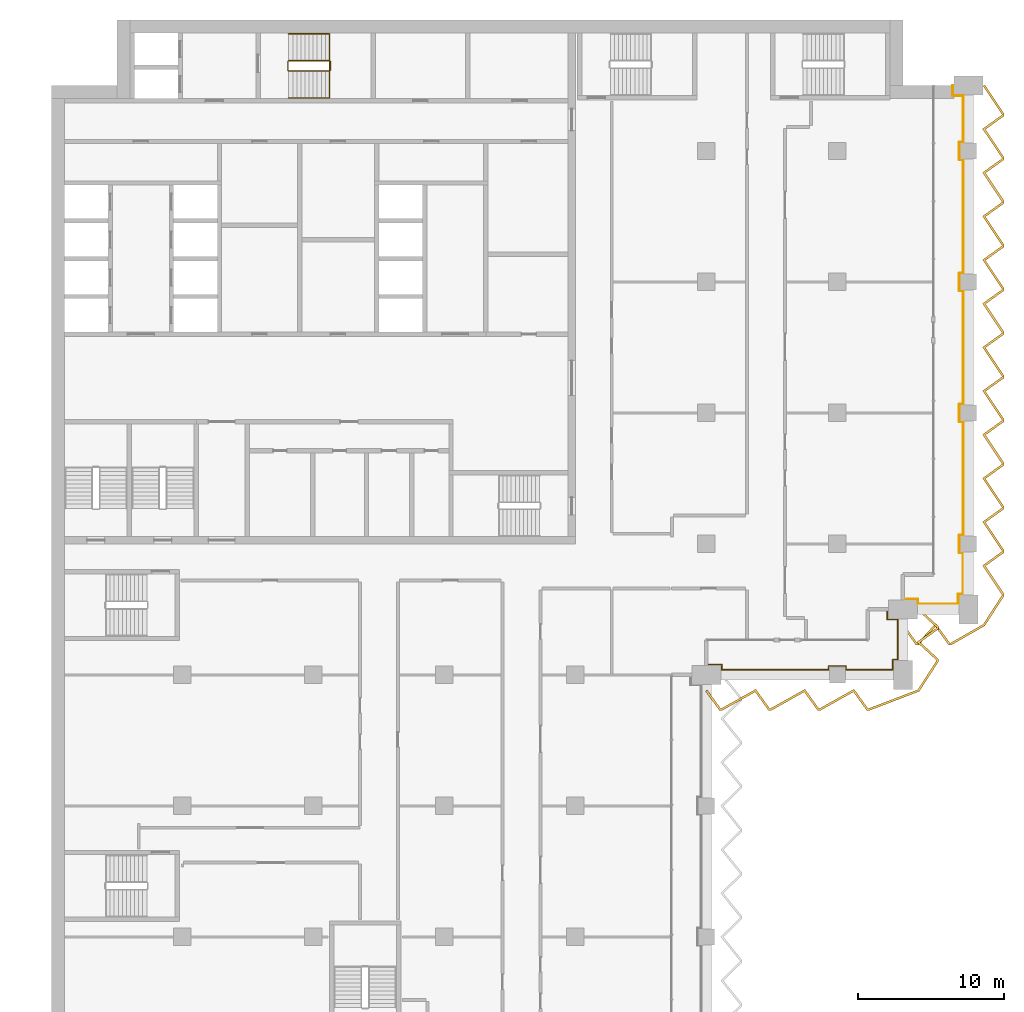
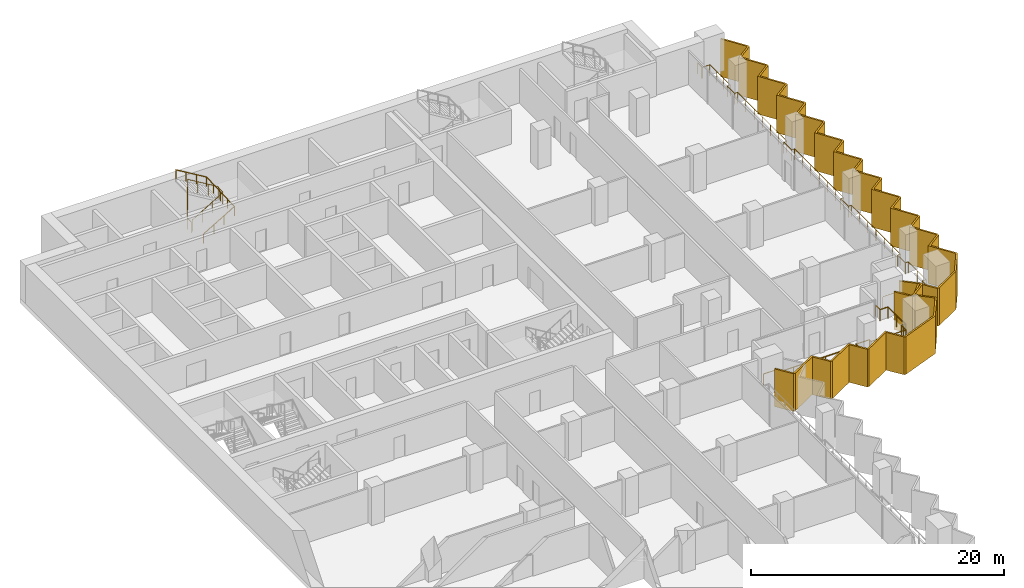
# One storey, part 22 of 23: 4 railings, 2 shading devices.
"""IFC4 building model written with IfcOpenShell, lengths in metres."""

from ifc_helpers import new_model, si_unit, direction, frame, origin, origin_2d, place, context, subcontext, project, spatial, polyline, circle, outline, extrude, material, layer, layer_set, type_object, element, save


model = new_model("IFC4")

# Units and contexts
model_context = context("Model", 3, precision=1e-05, world=origin(), true_north=direction((0.0, 1.0)))
body_context = subcontext(model_context, "Body", "Model", "MODEL_VIEW")
ifc_project = project(units=[si_unit("LENGTHUNIT", "METRE"), si_unit("AREAUNIT", "SQUARE_METRE"), si_unit("VOLUMEUNIT", "CUBIC_METRE"), si_unit("PLANEANGLEUNIT", "RADIAN"), si_unit("MASSUNIT", "GRAM", prefix="KILO")], contexts=[model_context])

# Site, building, storey
site_placement = place(None, origin())
site = spatial("IfcSite", under=ifc_project, at=site_placement, CompositionType="ELEMENT")
building_placement = place(site_placement, origin())
building = spatial("IfcBuilding", under=site, at=building_placement, Name="Hunhe Ridgeline Campus", CompositionType="ELEMENT")
storey_placement = place(building_placement, frame((0.0, 0.0, 170.800048828125)))
storey = spatial("IfcBuildingStorey", under=building, at=storey_placement, Name="L43", CompositionType="ELEMENT", Elevation=170.800048828125)

# Railings
ifc_material_1 = material(Name="Steel Q355", Category="steel")
railing_type_1 = type_object("IfcRailingType", Name="Loggia guard 1100 Steel Q355", PredefinedType="GUARDRAIL", material=ifc_material_1)
railing_1_placement = place(storey_placement, frame((45.0, 54.719970703125, 0.0)))
element("IfcRailing", 1, at=railing_1_placement, inside=storey, type_object=railing_type_1, Name="Loggia guard 2", PredefinedType="GUARDRAIL", context=body_context, shape_type="SweptSolid", body=[
    extrude(circle(Radius=0.02392578125, at=origin_2d()), frame((0.0, 0.0, 1.076171875), z_axis=(1.0, 0.0, 0.0), x_axis=(0.0, 1.0, 0.0)), (0.0, 0.0, 1.0), 1.050048828125),
    extrude(circle(Radius=0.02392578125, at=origin_2d()), frame((1.050048828125, 0.0, 1.076171875), z_axis=(0.0, -1.0, 0.0), x_axis=(1.0, 0.0, 0.0)), (0.0, 0.0, 1.0), 0.369873046875),
    extrude(circle(Radius=0.02392578125, at=origin_2d()), frame((1.050048828125, -0.369873046875, 1.076171875), z_axis=(1.0, 0.0, 0.0), x_axis=(0.0, 1.0, 0.0)), (0.0, 0.0, 1.0), 7.349853515625),
    extrude(circle(Radius=0.02392578125, at=origin_2d()), frame((8.39990234375, -0.369873046875, 1.076171875), z_axis=(0.0, 1.0, 0.0), x_axis=(-1.0, 0.0, 0.0)), (0.0, 0.0, 1.0), 0.27001953125),
    extrude(circle(Radius=0.02392578125, at=origin_2d()), frame((8.39990234375, -0.099853515625, 1.076171875), z_axis=(1.0, 0.0, 0.0), x_axis=(0.0, 1.0, 0.0)), (0.0, 0.0, 1.0), 1.2001953125),
    extrude(circle(Radius=0.02392578125, at=origin_2d()), frame((9.60009765625, -0.099853515625, 1.076171875), z_axis=(0.0, -1.0, 0.0), x_axis=(1.0, 0.0, 0.0)), (0.0, 0.0, 1.0), 0.27001953125),
    extrude(circle(Radius=0.02392578125, at=origin_2d()), frame((9.60009765625, -0.369873046875, 1.076171875), z_axis=(1.0, 0.0, 0.0), x_axis=(0.0, 1.0, 0.0)), (0.0, 0.0, 1.0), 3.199951171875),
    extrude(circle(Radius=0.02392578125, at=origin_2d()), frame((12.800048828125, -0.369873046875, 1.076171875), z_axis=(0.0, 1.0, 0.0), x_axis=(-1.0, 0.0, 0.0)), (0.0, 0.0, 1.0), 0.719970703125),
    extrude(circle(Radius=0.02392578125, at=origin_2d()), frame((12.800048828125, 0.35009765625, 1.076171875), z_axis=(-0.057089444596, -0.998369067688, 0.0), x_axis=(0.998369067688, -0.057089444596, 0.0)), (0.0, 0.0, 1.0), 0.3505859375),
    extrude(circle(Radius=0.02392578125, at=origin_2d()), frame((12.780029296875, 0.0, 1.076171875), z_axis=(0.0, 1.0, 0.0), x_axis=(-1.0, 0.0, 0.0)), (0.0, 0.0, 1.0), 0.330078125),
    extrude(circle(Radius=0.02392578125, at=origin_2d()), frame((12.780029296875, 0.330078125, 1.076171875), z_axis=(1.0, 0.0, 0.0), x_axis=(0.0, 1.0, 0.0)), (0.0, 0.0, 1.0), 0.369873046875),
    extrude(circle(Radius=0.02392578125, at=origin_2d()), frame((13.14990234375, 0.330078125, 1.076171875), z_axis=(0.0, 1.0, 0.0), x_axis=(-1.0, 0.0, 0.0)), (0.0, 0.0, 1.0), 2.75),
    extrude(circle(Radius=0.02392578125, at=origin_2d()), frame((13.14990234375, 3.080078125, 1.076171875), z_axis=(-1.0, 0.0, 0.0), x_axis=(0.0, -1.0, 0.0)), (0.0, 0.0, 1.0), 0.719970703125),
    extrude(circle(Radius=0.02392578125, at=origin_2d()), frame((12.429931640625, 3.080078125, 1.076171875), z_axis=(0.0, 1.0, 0.0), x_axis=(-1.0, 0.0, 0.0)), (0.0, 0.0, 1.0), 0.699951171875),
    extrude(circle(Radius=0.02099609375, at=origin_2d()), origin(), (0.0, 0.0, 1.0), 1.052001953125),
    extrude(circle(Radius=0.02099609375, at=origin_2d()), frame((1.050048828125, 0.0, 0.0)), (0.0, 0.0, 1.0), 1.052001953125),
    extrude(circle(Radius=0.02099609375, at=origin_2d()), frame((1.050048828125, -0.369873046875, 0.0)), (0.0, 0.0, 1.0), 1.052001953125),
    extrude(circle(Radius=0.02099609375, at=origin_2d()), frame((2.52001953125, -0.369873046875, 0.0)), (0.0, 0.0, 1.0), 1.052001953125),
    extrude(circle(Radius=0.02099609375, at=origin_2d()), frame((3.989990234375, -0.369873046875, 0.0)), (0.0, 0.0, 1.0), 1.052001953125),
    extrude(circle(Radius=0.02099609375, at=origin_2d()), frame((5.4599609375, -0.369873046875, 0.0)), (0.0, 0.0, 1.0), 1.052001953125),
    extrude(circle(Radius=0.02099609375, at=origin_2d()), frame((6.929931640625, -0.369873046875, 0.0)), (0.0, 0.0, 1.0), 1.052001953125),
    extrude(circle(Radius=0.02099609375, at=origin_2d()), frame((8.39990234375, -0.369873046875, 0.0)), (0.0, 0.0, 1.0), 1.052001953125),
    extrude(circle(Radius=0.02099609375, at=origin_2d()), frame((8.39990234375, -0.099853515625, 0.0)), (0.0, 0.0, 1.0), 1.052001953125),
    extrude(circle(Radius=0.02099609375, at=origin_2d()), frame((9.60009765625, -0.099853515625, 0.0)), (0.0, 0.0, 1.0), 1.052001953125),
    extrude(circle(Radius=0.02099609375, at=origin_2d()), frame((9.60009765625, -0.369873046875, 0.0)), (0.0, 0.0, 1.0), 1.052001953125),
    extrude(circle(Radius=0.02099609375, at=origin_2d()), frame((10.666748046875, -0.369873046875, 0.0)), (0.0, 0.0, 1.0), 1.052001953125),
    extrude(circle(Radius=0.02099609375, at=origin_2d()), frame((11.7333984375, -0.369873046875, 0.0)), (0.0, 0.0, 1.0), 1.052001953125),
    extrude(circle(Radius=0.02099609375, at=origin_2d()), frame((12.800048828125, -0.369873046875, 0.0)), (0.0, 0.0, 1.0), 1.052001953125),
    extrude(circle(Radius=0.02099609375, at=origin_2d()), frame((12.800048828125, 0.35009765625, 0.0)), (0.0, 0.0, 1.0), 1.052001953125),
    extrude(circle(Radius=0.02099609375, at=origin_2d()), frame((12.780029296875, 0.0, 0.0)), (0.0, 0.0, 1.0), 1.052001953125),
    extrude(circle(Radius=0.02099609375, at=origin_2d()), frame((12.780029296875, 0.330078125, 0.0)), (0.0, 0.0, 1.0), 1.052001953125),
    extrude(circle(Radius=0.02099609375, at=origin_2d()), frame((13.14990234375, 0.330078125, 0.0)), (0.0, 0.0, 1.0), 1.052001953125),
    extrude(circle(Radius=0.02099609375, at=origin_2d()), frame((13.14990234375, 1.705078125, 0.0)), (0.0, 0.0, 1.0), 1.052001953125),
    extrude(circle(Radius=0.02099609375, at=origin_2d()), frame((13.14990234375, 3.080078125, 0.0)), (0.0, 0.0, 1.0), 1.052001953125),
    extrude(circle(Radius=0.02099609375, at=origin_2d()), frame((12.429931640625, 3.080078125, 0.0)), (0.0, 0.0, 1.0), 1.052001953125),
    extrude(circle(Radius=0.02099609375, at=origin_2d()), frame((12.429931640625, 3.780029296875, 0.0)), (0.0, 0.0, 1.0), 1.052001953125),
])
railing_2_placement = place(storey_placement, frame((58.5, 59.219970703125, 0.0)))
element("IfcRailing", 2, at=railing_2_placement, inside=storey, type_object=railing_type_1, Name="Loggia guard 3", PredefinedType="GUARDRAIL", context=body_context, shape_type="SweptSolid", body=[
    extrude(circle(Radius=0.02392578125, at=origin_2d()), frame((0.0, 0.0, 1.076171875), z_axis=(1.0, 0.0, 0.0), x_axis=(0.0, 1.0, 0.0)), (0.0, 0.0, 1.0), 1.050048828125),
    extrude(circle(Radius=0.02392578125, at=origin_2d()), frame((1.050048828125, 0.0, 1.076171875), z_axis=(0.0, -1.0, 0.0), x_axis=(1.0, 0.0, 0.0)), (0.0, 0.0, 1.0), 0.369873046875),
    extrude(circle(Radius=0.02392578125, at=origin_2d()), frame((1.050048828125, -0.369873046875, 1.076171875), z_axis=(1.0, 0.0, 0.0), x_axis=(0.0, 1.0, 0.0)), (0.0, 0.0, 1.0), 2.75),
    extrude(circle(Radius=0.02392578125, at=origin_2d()), frame((3.800048828125, -0.369873046875, 1.076171875), z_axis=(0.0, 1.0, 0.0), x_axis=(-1.0, 0.0, 0.0)), (0.0, 0.0, 1.0), 0.719970703125),
    extrude(circle(Radius=0.02392578125, at=origin_2d()), frame((3.800048828125, 0.35009765625, 1.076171875), z_axis=(-0.057089444596, -0.998369067688, 0.0), x_axis=(0.998369067688, -0.057089444596, 0.0)), (0.0, 0.0, 1.0), 0.3505859375),
    extrude(circle(Radius=0.02392578125, at=origin_2d()), frame((3.780029296875, 0.0, 1.076171875), z_axis=(0.0, 1.0, 0.0), x_axis=(-1.0, 0.0, 0.0)), (0.0, 0.0, 1.0), 0.330078125),
    extrude(circle(Radius=0.02392578125, at=origin_2d()), frame((3.780029296875, 0.330078125, 1.076171875), z_axis=(1.0, 0.0, 0.0), x_axis=(0.0, 1.0, 0.0)), (0.0, 0.0, 1.0), 0.369873046875),
    extrude(circle(Radius=0.02392578125, at=origin_2d()), frame((4.14990234375, 0.330078125, 1.076171875), z_axis=(0.0, 1.0, 0.0), x_axis=(-1.0, 0.0, 0.0)), (0.0, 0.0, 1.0), 2.849853515625),
    extrude(circle(Radius=0.02392578125, at=origin_2d()), frame((4.14990234375, 3.179931640625, 1.076171875), z_axis=(-1.0, 0.0, 0.0), x_axis=(0.0, -1.0, 0.0)), (0.0, 0.0, 1.0), 0.27001953125),
    extrude(circle(Radius=0.02392578125, at=origin_2d()), frame((3.8798828125, 3.179931640625, 1.076171875), z_axis=(0.0, 1.0, 0.0), x_axis=(-1.0, 0.0, 0.0)), (0.0, 0.0, 1.0), 1.2001953125),
    extrude(circle(Radius=0.02392578125, at=origin_2d()), frame((3.8798828125, 4.380126953125, 1.076171875), z_axis=(1.0, 0.0, 0.0), x_axis=(0.0, 1.0, 0.0)), (0.0, 0.0, 1.0), 0.27001953125),
    extrude(circle(Radius=0.02392578125, at=origin_2d()), frame((4.14990234375, 4.380126953125, 1.076171875), z_axis=(0.0, 1.0, 0.0), x_axis=(-1.0, 0.0, 0.0)), (0.0, 0.0, 1.0), 7.7998046875),
    extrude(circle(Radius=0.02392578125, at=origin_2d()), frame((4.14990234375, 12.179931640625, 1.076171875), z_axis=(-1.0, 0.0, 0.0), x_axis=(0.0, -1.0, 0.0)), (0.0, 0.0, 1.0), 0.27001953125),
    extrude(circle(Radius=0.02392578125, at=origin_2d()), frame((3.8798828125, 12.179931640625, 1.076171875), z_axis=(0.0, 1.0, 0.0), x_axis=(-1.0, 0.0, 0.0)), (0.0, 0.0, 1.0), 1.2001953125),
    extrude(circle(Radius=0.02392578125, at=origin_2d()), frame((3.8798828125, 13.380126953125, 1.076171875), z_axis=(1.0, 0.0, 0.0), x_axis=(0.0, 1.0, 0.0)), (0.0, 0.0, 1.0), 0.27001953125),
    extrude(circle(Radius=0.02392578125, at=origin_2d()), frame((4.14990234375, 13.380126953125, 1.076171875), z_axis=(0.0, 1.0, 0.0), x_axis=(-1.0, 0.0, 0.0)), (0.0, 0.0, 1.0), 7.7998046875),
    extrude(circle(Radius=0.02392578125, at=origin_2d()), frame((4.14990234375, 21.179931640625, 1.076171875), z_axis=(-1.0, 0.0, 0.0), x_axis=(0.0, -1.0, 0.0)), (0.0, 0.0, 1.0), 0.27001953125),
    extrude(circle(Radius=0.02392578125, at=origin_2d()), frame((3.8798828125, 21.179931640625, 1.076171875), z_axis=(0.0, 1.0, 0.0), x_axis=(-1.0, 0.0, 0.0)), (0.0, 0.0, 1.0), 1.2001953125),
    extrude(circle(Radius=0.02392578125, at=origin_2d()), frame((3.8798828125, 22.380126953125, 1.076171875), z_axis=(1.0, 0.0, 0.0), x_axis=(0.0, 1.0, 0.0)), (0.0, 0.0, 1.0), 0.27001953125),
    extrude(circle(Radius=0.02392578125, at=origin_2d()), frame((4.14990234375, 22.380126953125, 1.076171875), z_axis=(0.0, 1.0, 0.0), x_axis=(-1.0, 0.0, 0.0)), (0.0, 0.0, 1.0), 7.7998046875),
    extrude(circle(Radius=0.02392578125, at=origin_2d()), frame((4.14990234375, 30.179931640625, 1.076171875), z_axis=(-1.0, 0.0, 0.0), x_axis=(0.0, -1.0, 0.0)), (0.0, 0.0, 1.0), 0.27001953125),
    extrude(circle(Radius=0.02392578125, at=origin_2d()), frame((3.8798828125, 30.179931640625, 1.076171875), z_axis=(0.0, 1.0, 0.0), x_axis=(-1.0, 0.0, 0.0)), (0.0, 0.0, 1.0), 1.2001953125),
    extrude(circle(Radius=0.02392578125, at=origin_2d()), frame((3.8798828125, 31.380126953125, 1.076171875), z_axis=(1.0, 0.0, 0.0), x_axis=(0.0, 1.0, 0.0)), (0.0, 0.0, 1.0), 0.27001953125),
    extrude(circle(Radius=0.02392578125, at=origin_2d()), frame((4.14990234375, 31.380126953125, 1.076171875), z_axis=(0.0, 1.0, 0.0), x_axis=(-1.0, 0.0, 0.0)), (0.0, 0.0, 1.0), 3.199951171875),
    extrude(circle(Radius=0.02392578125, at=origin_2d()), frame((4.14990234375, 34.580078125, 1.076171875), z_axis=(-1.0, 0.0, 0.0), x_axis=(0.0, -1.0, 0.0)), (0.0, 0.0, 1.0), 0.719970703125),
    extrude(circle(Radius=0.02392578125, at=origin_2d()), frame((3.429931640625, 34.580078125, 1.076171875), z_axis=(0.0, 1.0, 0.0), x_axis=(-1.0, 0.0, 0.0)), (0.0, 0.0, 1.0), 0.699951171875),
    extrude(circle(Radius=0.02099609375, at=origin_2d()), origin(), (0.0, 0.0, 1.0), 1.052001953125),
    extrude(circle(Radius=0.02099609375, at=origin_2d()), frame((1.050048828125, 0.0, 0.0)), (0.0, 0.0, 1.0), 1.052001953125),
    extrude(circle(Radius=0.02099609375, at=origin_2d()), frame((1.050048828125, -0.369873046875, 0.0)), (0.0, 0.0, 1.0), 1.052001953125),
    extrude(circle(Radius=0.02099609375, at=origin_2d()), frame((2.425048828125, -0.369873046875, 0.0)), (0.0, 0.0, 1.0), 1.052001953125),
    extrude(circle(Radius=0.02099609375, at=origin_2d()), frame((3.800048828125, -0.369873046875, 0.0)), (0.0, 0.0, 1.0), 1.052001953125),
    extrude(circle(Radius=0.02099609375, at=origin_2d()), frame((3.800048828125, 0.35009765625, 0.0)), (0.0, 0.0, 1.0), 1.052001953125),
    extrude(circle(Radius=0.02099609375, at=origin_2d()), frame((3.780029296875, 0.0, 0.0)), (0.0, 0.0, 1.0), 1.052001953125),
    extrude(circle(Radius=0.02099609375, at=origin_2d()), frame((3.780029296875, 0.330078125, 0.0)), (0.0, 0.0, 1.0), 1.052001953125),
    extrude(circle(Radius=0.02099609375, at=origin_2d()), frame((4.14990234375, 0.330078125, 0.0)), (0.0, 0.0, 1.0), 1.052001953125),
    extrude(circle(Radius=0.02099609375, at=origin_2d()), frame((4.14990234375, 1.7548828125, 0.0)), (0.0, 0.0, 1.0), 1.052001953125),
    extrude(circle(Radius=0.02099609375, at=origin_2d()), frame((4.14990234375, 3.179931640625, 0.0)), (0.0, 0.0, 1.0), 1.052001953125),
    extrude(circle(Radius=0.02099609375, at=origin_2d()), frame((3.8798828125, 3.179931640625, 0.0)), (0.0, 0.0, 1.0), 1.052001953125),
    extrude(circle(Radius=0.02099609375, at=origin_2d()), frame((3.8798828125, 4.380126953125, 0.0)), (0.0, 0.0, 1.0), 1.052001953125),
    extrude(circle(Radius=0.02099609375, at=origin_2d()), frame((4.14990234375, 4.380126953125, 0.0)), (0.0, 0.0, 1.0), 1.052001953125),
    extrude(circle(Radius=0.02099609375, at=origin_2d()), frame((4.14990234375, 5.68017578125, 0.0)), (0.0, 0.0, 1.0), 1.052001953125),
    extrude(circle(Radius=0.02099609375, at=origin_2d()), frame((4.14990234375, 6.97998046875, 0.0)), (0.0, 0.0, 1.0), 1.052001953125),
    extrude(circle(Radius=0.02099609375, at=origin_2d()), frame((4.14990234375, 8.280029296875, 0.0)), (0.0, 0.0, 1.0), 1.052001953125),
    extrude(circle(Radius=0.02099609375, at=origin_2d()), frame((4.14990234375, 9.580078125, 0.0)), (0.0, 0.0, 1.0), 1.052001953125),
    extrude(circle(Radius=0.02099609375, at=origin_2d()), frame((4.14990234375, 10.8798828125, 0.0)), (0.0, 0.0, 1.0), 1.052001953125),
    extrude(circle(Radius=0.02099609375, at=origin_2d()), frame((4.14990234375, 12.179931640625, 0.0)), (0.0, 0.0, 1.0), 1.052001953125),
    extrude(circle(Radius=0.02099609375, at=origin_2d()), frame((3.8798828125, 12.179931640625, 0.0)), (0.0, 0.0, 1.0), 1.052001953125),
    extrude(circle(Radius=0.02099609375, at=origin_2d()), frame((3.8798828125, 13.380126953125, 0.0)), (0.0, 0.0, 1.0), 1.052001953125),
    extrude(circle(Radius=0.02099609375, at=origin_2d()), frame((4.14990234375, 13.380126953125, 0.0)), (0.0, 0.0, 1.0), 1.052001953125),
    extrude(circle(Radius=0.02099609375, at=origin_2d()), frame((4.14990234375, 14.68017578125, 0.0)), (0.0, 0.0, 1.0), 1.052001953125),
    extrude(circle(Radius=0.02099609375, at=origin_2d()), frame((4.14990234375, 15.97998046875, 0.0)), (0.0, 0.0, 1.0), 1.052001953125),
    extrude(circle(Radius=0.02099609375, at=origin_2d()), frame((4.14990234375, 17.280029296875, 0.0)), (0.0, 0.0, 1.0), 1.052001953125),
    extrude(circle(Radius=0.02099609375, at=origin_2d()), frame((4.14990234375, 18.580078125, 0.0)), (0.0, 0.0, 1.0), 1.052001953125),
    extrude(circle(Radius=0.02099609375, at=origin_2d()), frame((4.14990234375, 19.8798828125, 0.0)), (0.0, 0.0, 1.0), 1.052001953125),
    extrude(circle(Radius=0.02099609375, at=origin_2d()), frame((4.14990234375, 21.179931640625, 0.0)), (0.0, 0.0, 1.0), 1.052001953125),
    extrude(circle(Radius=0.02099609375, at=origin_2d()), frame((3.8798828125, 21.179931640625, 0.0)), (0.0, 0.0, 1.0), 1.052001953125),
    extrude(circle(Radius=0.02099609375, at=origin_2d()), frame((3.8798828125, 22.380126953125, 0.0)), (0.0, 0.0, 1.0), 1.052001953125),
    extrude(circle(Radius=0.02099609375, at=origin_2d()), frame((4.14990234375, 22.380126953125, 0.0)), (0.0, 0.0, 1.0), 1.052001953125),
    extrude(circle(Radius=0.02099609375, at=origin_2d()), frame((4.14990234375, 23.68017578125, 0.0)), (0.0, 0.0, 1.0), 1.052001953125),
    extrude(circle(Radius=0.02099609375, at=origin_2d()), frame((4.14990234375, 24.97998046875, 0.0)), (0.0, 0.0, 1.0), 1.052001953125),
    extrude(circle(Radius=0.02099609375, at=origin_2d()), frame((4.14990234375, 26.280029296875, 0.0)), (0.0, 0.0, 1.0), 1.052001953125),
    extrude(circle(Radius=0.02099609375, at=origin_2d()), frame((4.14990234375, 27.580078125, 0.0)), (0.0, 0.0, 1.0), 1.052001953125),
    extrude(circle(Radius=0.02099609375, at=origin_2d()), frame((4.14990234375, 28.8798828125, 0.0)), (0.0, 0.0, 1.0), 1.052001953125),
    extrude(circle(Radius=0.02099609375, at=origin_2d()), frame((4.14990234375, 30.179931640625, 0.0)), (0.0, 0.0, 1.0), 1.052001953125),
    extrude(circle(Radius=0.02099609375, at=origin_2d()), frame((3.8798828125, 30.179931640625, 0.0)), (0.0, 0.0, 1.0), 1.052001953125),
    extrude(circle(Radius=0.02099609375, at=origin_2d()), frame((3.8798828125, 31.380126953125, 0.0)), (0.0, 0.0, 1.0), 1.052001953125),
    extrude(circle(Radius=0.02099609375, at=origin_2d()), frame((4.14990234375, 31.380126953125, 0.0)), (0.0, 0.0, 1.0), 1.052001953125),
    extrude(circle(Radius=0.02099609375, at=origin_2d()), frame((4.14990234375, 32.44677734375, 0.0)), (0.0, 0.0, 1.0), 1.052001953125),
    extrude(circle(Radius=0.02099609375, at=origin_2d()), frame((4.14990234375, 33.513427734375, 0.0)), (0.0, 0.0, 1.0), 1.052001953125),
    extrude(circle(Radius=0.02099609375, at=origin_2d()), frame((4.14990234375, 34.580078125, 0.0)), (0.0, 0.0, 1.0), 1.052001953125),
    extrude(circle(Radius=0.02099609375, at=origin_2d()), frame((3.429931640625, 34.580078125, 0.0)), (0.0, 0.0, 1.0), 1.052001953125),
    extrude(circle(Radius=0.02099609375, at=origin_2d()), frame((3.429931640625, 35.280029296875, 0.0)), (0.0, 0.0, 1.0), 1.052001953125),
])

# Shading devices
ifc_material_2 = material(Name="Concrete C50", Category="concrete")
ifc_layer = layer(ifc_material_2, 0.14990234375)
ifc_layer_set = layer_set([ifc_layer], Name="Sawtooth concrete fin 150 Concrete C50")
shading_device_type = type_object("IfcShadingDeviceType", Name="Sawtooth concrete fin 150 Concrete C50", PredefinedType="USERDEFINED", material=ifc_layer_set)
shading_device_1_placement = place(storey_placement, frame((0.0, 0.0, -0.949951171875)))
element("IfcShadingDevice", 3, at=shading_device_1_placement, inside=storey, type_object=shading_device_type, Name="Concrete fin screen 2", ObjectType="FIN", PredefinedType="USERDEFINED", context=body_context, shape_type="SweptSolid", body=[
    extrude(outline(polyline([(45.060791015625, 52.96875), (44.939208984375, 52.881103515625), (45.896484375, 51.550048828125), (46.07470703125, 51.550048828125), (48.353271484375, 52.826904296875), (49.271484375, 51.550048828125), (49.44970703125, 51.550048828125), (51.728271484375, 52.826904296875), (52.646484375, 51.550048828125), (52.82470703125, 51.550048828125), (55.103271484375, 52.826904296875), (56.021484375, 51.550048828125), (56.19384765625, 51.550048828125), (59.624755859375, 52.86376953125), (60.949951171875, 54.912841796875), (60.949951171875, 55.087890625), (59.693603515625, 56.242919921875), (60.949951171875, 57.146484375), (60.949951171875, 57.337890625), (59.625732421875, 58.55517578125), (59.524169921875, 58.44482421875), (60.800048828125, 57.27197265625), (60.800048828125, 57.223388671875), (59.45654296875, 56.257080078125), (60.800048828125, 55.02197265625), (60.800048828125, 54.95703125), (59.525390625, 52.986328125), (56.166015625, 51.699951171875), (56.098388671875, 51.699951171875), (55.146728515625, 53.023193359375), (52.785400390625, 51.699951171875), (52.723388671875, 51.699951171875), (51.771728515625, 53.023193359375), (49.410400390625, 51.699951171875), (49.348388671875, 51.699951171875), (48.396728515625, 53.023193359375), (46.035400390625, 51.699951171875), (45.973388671875, 51.699951171875), (45.060791015625, 52.96875)])), origin(), (0.0, 0.0, 1.0), 3.64990234375),
])
shading_device_2_placement = place(storey_placement, frame((0.0, 0.0, -0.949951171875)))
element("IfcShadingDevice", 4, at=shading_device_2_placement, inside=storey, type_object=shading_device_type, Name="Concrete fin screen 3", ObjectType="FIN", PredefinedType="USERDEFINED", context=body_context, shape_type="SweptSolid", body=[
    extrude(outline(polyline([(58.560791015625, 57.46875), (58.439208984375, 57.381103515625), (59.396484375, 56.050048828125), (59.587890625, 56.050048828125), (60.742919921875, 57.306396484375), (61.646484375, 56.050048828125), (61.824951171875, 56.050048828125), (64.128173828125, 57.368896484375), (65.449951171875, 59.412841796875), (65.449951171875, 59.577880859375), (64.177734375, 61.4814453125), (65.449951171875, 62.396484375), (65.449951171875, 62.577880859375), (64.177734375, 64.4814453125), (65.449951171875, 65.396484375), (65.449951171875, 65.577880859375), (64.177734375, 67.4814453125), (65.449951171875, 68.396484375), (65.449951171875, 68.577880859375), (64.177734375, 70.4814453125), (65.449951171875, 71.396484375), (65.449951171875, 71.577880859375), (64.177734375, 73.4814453125), (65.449951171875, 74.396484375), (65.449951171875, 74.577880859375), (64.177734375, 76.4814453125), (65.449951171875, 77.396484375), (65.449951171875, 77.577880859375), (64.177734375, 79.4814453125), (65.449951171875, 80.396484375), (65.449951171875, 80.577880859375), (64.177734375, 82.4814453125), (65.449951171875, 83.396484375), (65.449951171875, 83.577880859375), (64.177734375, 85.4814453125), (65.449951171875, 86.396484375), (65.449951171875, 86.577880859375), (64.177734375, 88.4814453125), (65.449951171875, 89.396484375), (65.449951171875, 89.577880859375), (64.177734375, 91.4814453125), (65.449951171875, 92.396484375), (65.449951171875, 92.577880859375), (64.137451171875, 94.541748046875), (64.0126953125, 94.458251953125), (65.300048828125, 92.5322265625), (65.300048828125, 92.473388671875), (63.972412109375, 91.5185546875), (65.300048828125, 89.5322265625), (65.300048828125, 89.473388671875), (63.972412109375, 88.5185546875), (65.300048828125, 86.5322265625), (65.300048828125, 86.473388671875), (63.972412109375, 85.5185546875), (65.300048828125, 83.5322265625), (65.300048828125, 83.473388671875), (63.972412109375, 82.5185546875), (65.300048828125, 80.5322265625), (65.300048828125, 80.473388671875), (63.972412109375, 79.5185546875), (65.300048828125, 77.5322265625), (65.300048828125, 77.473388671875), (63.972412109375, 76.5185546875), (65.300048828125, 74.5322265625), (65.300048828125, 74.473388671875), (63.972412109375, 73.5185546875), (65.300048828125, 71.5322265625), (65.300048828125, 71.473388671875), (63.972412109375, 70.5185546875), (65.300048828125, 68.5322265625), (65.300048828125, 68.473388671875), (63.972412109375, 67.5185546875), (65.300048828125, 65.5322265625), (65.300048828125, 65.473388671875), (63.972412109375, 64.5185546875), (65.300048828125, 62.5322265625), (65.300048828125, 62.473388671875), (63.972412109375, 61.5185546875), (65.300048828125, 59.5322265625), (65.300048828125, 59.45703125), (64.02197265625, 57.48095703125), (61.78515625, 56.199951171875), (61.723388671875, 56.199951171875), (60.757080078125, 57.54345703125), (59.52197265625, 56.199951171875), (59.473388671875, 56.199951171875), (58.560791015625, 57.46875)])), origin(), (0.0, 0.0, 1.0), 3.64990234375),
])

# Railings
ifc_material_3 = material(Name="Stainless steel balustrade", Category="steel")
railing_type_2 = type_object("IfcRailingType", Name="Stair guard 1100 stainless", PredefinedType="GUARDRAIL", material=ifc_material_3)
railing_3_placement = place(storey_placement, frame((16.300048828125, 95.5, 0.168212890625)))
element("IfcRailing", 5, at=railing_3_placement, inside=storey, type_object=railing_type_2, Name="L43 stair S1 guard", PredefinedType="GUARDRAIL", context=body_context, shape_type="SweptSolid", body=[
    extrude(circle(Radius=0.02392578125, at=origin_2d()), frame((0.0, 0.0, 1.076171875), z_axis=(0.857275202839, 0.0, 0.514858452973), x_axis=(0.0, 1.0, 0.0)), (0.0, 0.0, 1.0), 3.26611328125),
    extrude(circle(Radius=0.02392578125, at=origin_2d()), frame((2.800048828125, 0.0, 2.7578125), z_axis=(0.705375805398, 0.708833529934, 0.0), x_axis=(-0.708833529934, 0.705375805398, 0.0)), (0.0, 0.0, 1.0), 0.070556640625),
    extrude(circle(Radius=0.02392578125, at=origin_2d()), frame((2.849853515625, 0.050048828125, 2.7578125), z_axis=(0.0, 1.0, 0.0), x_axis=(-1.0, 0.0, 0.0)), (0.0, 0.0, 1.0), 0.599853515625),
    extrude(circle(Radius=0.02392578125, at=origin_2d()), frame((2.849853515625, 0.64990234375, 2.7578125), z_axis=(-0.273006030465, 0.27434429532, 0.922064485248), x_axis=(-0.708833529934, -0.705375805398, 0.0)), (0.0, 0.0, 1.0), 0.182373046875),
    extrude(circle(Radius=0.02392578125, at=origin_2d()), frame((2.800048828125, 0.699951171875, 2.92578125), z_axis=(-0.857242210791, 0.0, 0.514913383045), x_axis=(0.0, -1.0, 0.0)), (0.0, 0.0, 1.0), 3.266357421875),
    extrude(circle(Radius=0.02392578125, at=origin_2d()), frame((0.0, 0.699951171875, 4.60791015625), z_axis=(-0.013524414389, -0.013524414389, -0.999817073484), x_axis=(0.707106781187, -0.707106781187, 0.0)), (0.0, 0.0, 1.0), 3.70068359375),
    extrude(circle(Radius=0.02392578125, at=origin_2d()), frame((-0.050048828125, 0.64990234375, 0.90771484375), z_axis=(0.0, -1.0, 0.0), x_axis=(1.0, 0.0, 0.0)), (0.0, 0.0, 1.0), 0.599853515625),
    extrude(circle(Radius=0.02099609375, at=origin_2d()), origin(), (0.0, 0.0, 1.0), 1.052001953125),
    extrude(circle(Radius=0.02099609375, at=origin_2d()), frame((0.933349609375, 0.0, 0.560546875)), (0.0, 0.0, 1.0), 1.052001953125),
    extrude(circle(Radius=0.02099609375, at=origin_2d()), frame((1.86669921875, 0.0, 1.12109375)), (0.0, 0.0, 1.0), 1.052001953125),
    extrude(circle(Radius=0.02099609375, at=origin_2d()), frame((2.800048828125, 0.0, 1.681640625)), (0.0, 0.0, 1.0), 1.052001953125),
    extrude(circle(Radius=0.02099609375, at=origin_2d()), frame((2.849853515625, 0.050048828125, 1.681640625)), (0.0, 0.0, 1.0), 1.052001953125),
    extrude(circle(Radius=0.02099609375, at=origin_2d()), frame((2.849853515625, 0.64990234375, 1.681640625)), (0.0, 0.0, 1.0), 1.052001953125),
    extrude(circle(Radius=0.02099609375, at=origin_2d()), frame((2.800048828125, 0.699951171875, 1.849853515625)), (0.0, 0.0, 1.0), 1.052001953125),
    extrude(circle(Radius=0.02099609375, at=origin_2d()), frame((1.86669921875, 0.699951171875, 2.410400390625)), (0.0, 0.0, 1.0), 1.052001953125),
    extrude(circle(Radius=0.02099609375, at=origin_2d()), frame((0.933349609375, 0.699951171875, 2.97119140625)), (0.0, 0.0, 1.0), 1.052001953125),
    extrude(circle(Radius=0.02099609375, at=origin_2d()), frame((0.0, 0.699951171875, 3.53173828125)), (0.0, 0.0, 1.0), 1.052001953125),
    extrude(circle(Radius=0.02099609375, at=origin_2d()), frame((-0.012451171875, 0.6875, 2.606689453125)), (0.0, 0.0, 1.0), 1.052001953125),
    extrude(circle(Radius=0.02099609375, at=origin_2d()), frame((-0.02490234375, 0.6748046875, 1.681640625)), (0.0, 0.0, 1.0), 1.052001953125),
    extrude(circle(Radius=0.02099609375, at=origin_2d()), frame((-0.03759765625, 0.662353515625, 0.7568359375)), (0.0, 0.0, 1.0), 1.052001953125),
    extrude(circle(Radius=0.02099609375, at=origin_2d()), frame((-0.050048828125, 0.64990234375, -0.168212890625)), (0.0, 0.0, 1.0), 1.052001953125),
    extrude(circle(Radius=0.02099609375, at=origin_2d()), frame((-0.050048828125, 0.050048828125, -0.168212890625)), (0.0, 0.0, 1.0), 1.052001953125),
])
ifc_material_4 = material(Name="Stainless steel handrail", Category="steel")
railing_type_3 = type_object("IfcRailingType", Name="Stair handrail 900 stainless", PredefinedType="HANDRAIL", material=ifc_material_4)
railing_4_placement = place(storey_placement, frame((16.300048828125, 93.64990234375, 0.168212890625)))
element("IfcRailing", 6, at=railing_4_placement, inside=storey, type_object=railing_type_3, Name="L43 stair S1 handrail", PredefinedType="HANDRAIL", context=body_context, shape_type="SweptSolid", body=[
    extrude(circle(Radius=0.02392578125, at=origin_2d()), frame((0.0, 0.0, 0.8759765625), z_axis=(0.857275202839, 0.0, 0.514858452973), x_axis=(0.0, 1.0, 0.0)), (0.0, 0.0, 1.0), 3.26611328125),
    extrude(circle(Radius=0.02392578125, at=origin_2d()), frame((2.800048828125, 0.0, 2.5576171875), z_axis=(0.0, 0.999270074432, 0.038201025428), x_axis=(-1.0, 0.0, 0.0)), (0.0, 0.0, 1.0), 4.4033203125),
    extrude(circle(Radius=0.02392578125, at=origin_2d()), frame((2.800048828125, 4.400146484375, 2.7255859375), z_axis=(-0.857242210791, 0.0, 0.514913383045), x_axis=(0.0, -1.0, 0.0)), (0.0, 0.0, 1.0), 3.266357421875),
    extrude(circle(Radius=0.02099609375, at=origin_2d()), origin(), (0.0, 0.0, 1.0), 0.851806640625),
    extrude(circle(Radius=0.02099609375, at=origin_2d()), frame((0.933349609375, 0.0, 0.560546875)), (0.0, 0.0, 1.0), 0.851806640625),
    extrude(circle(Radius=0.02099609375, at=origin_2d()), frame((1.86669921875, 0.0, 1.12109375)), (0.0, 0.0, 1.0), 0.851806640625),
    extrude(circle(Radius=0.02099609375, at=origin_2d()), frame((2.800048828125, 0.0, 1.681640625)), (0.0, 0.0, 1.0), 0.851806640625),
    extrude(circle(Radius=0.02099609375, at=origin_2d()), frame((2.800048828125, 1.10009765625, 1.7236328125)), (0.0, 0.0, 1.0), 0.851806640625),
    extrude(circle(Radius=0.02099609375, at=origin_2d()), frame((2.800048828125, 2.2001953125, 1.765625)), (0.0, 0.0, 1.0), 0.851806640625),
    extrude(circle(Radius=0.02099609375, at=origin_2d()), frame((2.800048828125, 3.300048828125, 1.807861328125)), (0.0, 0.0, 1.0), 0.851806640625),
    extrude(circle(Radius=0.02099609375, at=origin_2d()), frame((2.800048828125, 4.400146484375, 1.849853515625)), (0.0, 0.0, 1.0), 0.851806640625),
    extrude(circle(Radius=0.02099609375, at=origin_2d()), frame((1.86669921875, 4.400146484375, 2.410400390625)), (0.0, 0.0, 1.0), 0.851806640625),
    extrude(circle(Radius=0.02099609375, at=origin_2d()), frame((0.933349609375, 4.400146484375, 2.97119140625)), (0.0, 0.0, 1.0), 0.851806640625),
    extrude(circle(Radius=0.02099609375, at=origin_2d()), frame((0.0, 4.400146484375, 3.53173828125)), (0.0, 0.0, 1.0), 0.851806640625),
])

save(model, "model.ifc")
